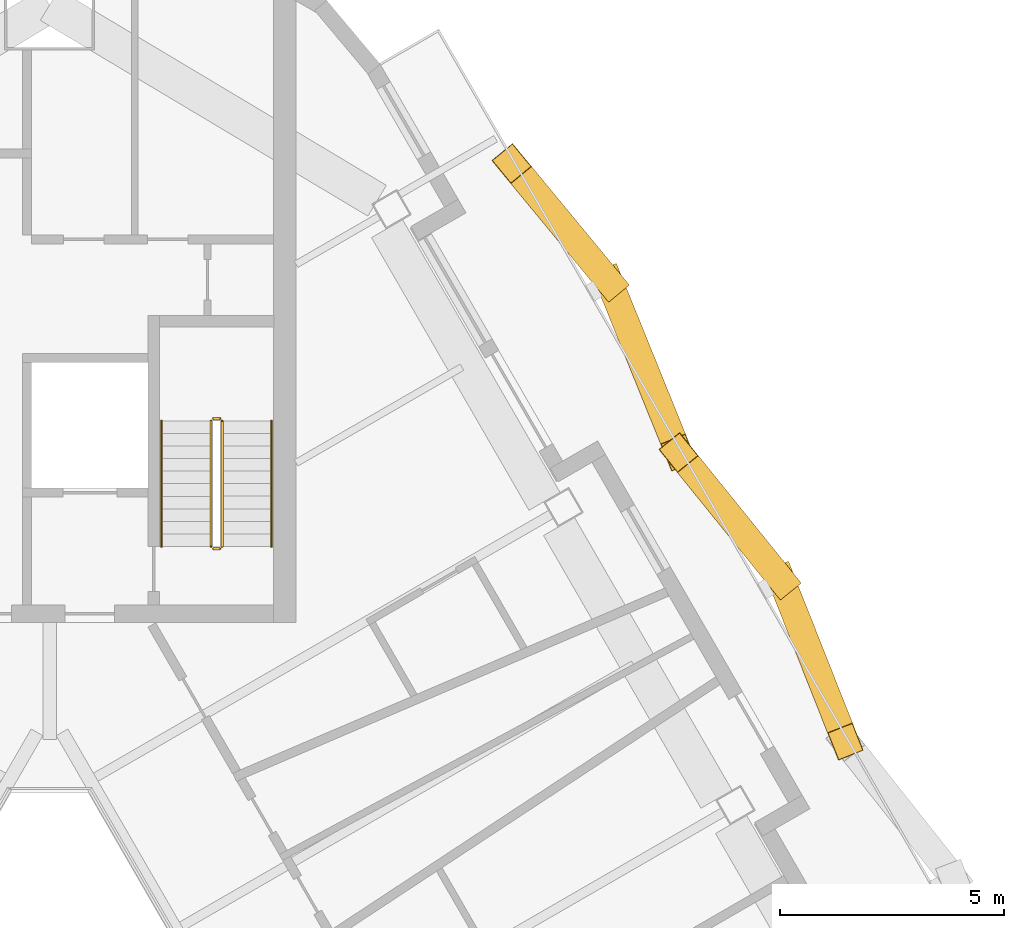
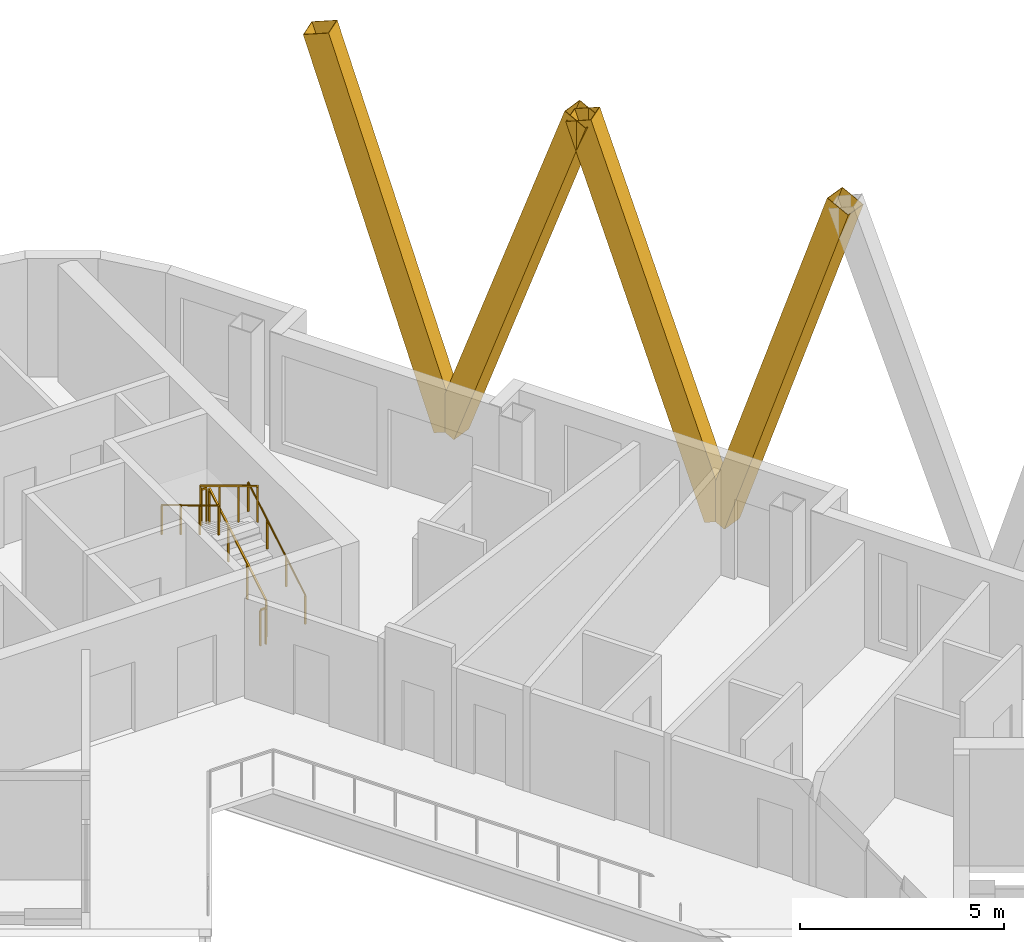
# One storey, part 14 of 14: 6 railings, 4 shading devices.
"""IFC4 building model written with IfcOpenShell, lengths in metres."""

from ifc_helpers import new_model, si_unit, direction, frame, origin, origin_2d, place, context, subcontext, project, spatial, rectangle, hollow_rectangle, circle, extrude, material, material_profile, profile_set, type_object, element, save


model = new_model("IFC4")

# Units and contexts
model_context = context("Model", 3, precision=1e-05, world=origin(), true_north=direction((0.0, 1.0)))
body_context = subcontext(model_context, "Body", "Model", "MODEL_VIEW")
ifc_project = project(units=[si_unit("LENGTHUNIT", "METRE"), si_unit("AREAUNIT", "SQUARE_METRE"), si_unit("VOLUMEUNIT", "CUBIC_METRE"), si_unit("PLANEANGLEUNIT", "RADIAN"), si_unit("MASSUNIT", "GRAM", prefix="KILO")], contexts=[model_context])

# Site, building, storey
site_placement = place(None, origin())
site = spatial("IfcSite", under=ifc_project, at=site_placement, CompositionType="ELEMENT")
building_placement = place(site_placement, origin())
building = spatial("IfcBuilding", under=site, at=building_placement, Name="Apuvela Tower Hotel", CompositionType="ELEMENT")
storey_placement = place(building_placement, frame((0.0, 0.0, 257.800048828125)))
storey = spatial("IfcBuildingStorey", under=building, at=storey_placement, Name="L63", CompositionType="ELEMENT", Elevation=257.800048828125)

# Railings
ifc_material_1 = material(Name="Steel S275 balustrade", Category="steel")
railing_type_1 = type_object("IfcRailingType", Name="COR-GUARD-1100", PredefinedType="GUARDRAIL", material=ifc_material_1)
railing_1_placement = place(storey_placement, frame((3.85009765625, 14.60009765625, 0.168212890625)))
element("IfcRailing", 1, at=railing_1_placement, inside=storey, type_object=railing_type_1, Name="L63 ST1 stair guard 1", PredefinedType="GUARDRAIL", context=body_context, shape_type="SweptSolid", body=[
    extrude(rectangle(XDim=0.048095703125, YDim=0.048095703125, at=origin_2d()), frame((0.0, 0.0, 1.076171875), z_axis=(0.0, 0.857255387014, 0.514891446264), x_axis=(-1.0, 0.0, 0.0)), (0.0, 0.0, 1.0), 3.26611328125),
    extrude(rectangle(XDim=0.0419921875, YDim=0.0419921875, at=origin_2d()), origin(), (0.0, 0.0, 1.0), 1.052001953125),
    extrude(rectangle(XDim=0.0419921875, YDim=0.0419921875, at=origin_2d()), frame((0.0, 0.933349609375, 0.560546875)), (0.0, 0.0, 1.0), 1.052001953125),
    extrude(rectangle(XDim=0.0419921875, YDim=0.0419921875, at=origin_2d()), frame((0.0, 1.866455078125, 1.12109375)), (0.0, 0.0, 1.0), 1.052001953125),
    extrude(rectangle(XDim=0.0419921875, YDim=0.0419921875, at=origin_2d()), frame((0.0, 2.7998046875, 1.681640625)), (0.0, 0.0, 1.0), 1.052001953125),
])
railing_2_placement = place(storey_placement, frame((3.800048828125, 17.449951171875, 1.849853515625)))
element("IfcRailing", 2, at=railing_2_placement, inside=storey, type_object=railing_type_1, Name="L63 ST1 stair guard 2", PredefinedType="GUARDRAIL", context=body_context, shape_type="SweptSolid", body=[
    extrude(rectangle(XDim=0.048095703125, YDim=0.048095703125, at=origin_2d()), frame((0.0, 0.0, 1.076171875), z_axis=(-1.0, 0.0, 0.0), x_axis=(0.0, -1.0, 0.0)), (0.0, 0.0, 1.0), 0.150146484375),
    extrude(rectangle(XDim=0.0419921875, YDim=0.0419921875, at=origin_2d()), origin(), (0.0, 0.0, 1.0), 1.052001953125),
    extrude(rectangle(XDim=0.0419921875, YDim=0.0419921875, at=origin_2d()), frame((-0.150146484375, 0.0, 0.0)), (0.0, 0.0, 1.0), 1.052001953125),
])
railing_3_placement = place(storey_placement, frame((3.60009765625, 17.39990234375, 2.01806640625)))
element("IfcRailing", 3, at=railing_3_placement, inside=storey, type_object=railing_type_1, Name="L63 ST1 stair guard 3", PredefinedType="GUARDRAIL", context=body_context, shape_type="SweptSolid", body=[
    extrude(rectangle(XDim=0.048095703125, YDim=0.048095703125, at=origin_2d()), frame((0.0, 0.0, 1.076171875), z_axis=(0.0, -0.857222391501, 0.514946377315), x_axis=(1.0, 0.0, 0.0)), (0.0, 0.0, 1.0), 3.26611328125),
    extrude(rectangle(XDim=0.0419921875, YDim=0.0419921875, at=origin_2d()), origin(), (0.0, 0.0, 1.0), 1.052001953125),
    extrude(rectangle(XDim=0.0419921875, YDim=0.0419921875, at=origin_2d()), frame((0.0, -0.933349609375, 0.560546875)), (0.0, 0.0, 1.0), 1.052001953125),
    extrude(rectangle(XDim=0.0419921875, YDim=0.0419921875, at=origin_2d()), frame((0.0, -1.866455078125, 1.121337890625)), (0.0, 0.0, 1.0), 1.052001953125),
    extrude(rectangle(XDim=0.0419921875, YDim=0.0419921875, at=origin_2d()), frame((0.0, -2.7998046875, 1.681884765625)), (0.0, 0.0, 1.0), 1.052001953125),
])
railing_4_placement = place(storey_placement, frame((3.800048828125, 14.550048828125, 0.0)))
element("IfcRailing", 4, at=railing_4_placement, inside=storey, type_object=railing_type_1, Name="L63 ST1 stair guard 4", PredefinedType="GUARDRAIL", context=body_context, shape_type="SweptSolid", body=[
    extrude(rectangle(XDim=0.048095703125, YDim=0.048095703125, at=origin_2d()), frame((0.0, 0.0, 1.076171875), z_axis=(-1.0, 0.0, 0.0), x_axis=(0.0, -1.0, 0.0)), (0.0, 0.0, 1.0), 0.150146484375),
    extrude(rectangle(XDim=0.0419921875, YDim=0.0419921875, at=origin_2d()), origin(), (0.0, 0.0, 1.0), 1.052001953125),
    extrude(rectangle(XDim=0.0419921875, YDim=0.0419921875, at=origin_2d()), frame((-0.150146484375, 0.0, 0.0)), (0.0, 0.0, 1.0), 1.052001953125),
])
ifc_material_2 = material(Name="Stainless steel 316 handrail", Category="steel")
railing_type_2 = type_object("IfcRailingType", Name="COR-HANDRAIL-900", PredefinedType="HANDRAIL", material=ifc_material_2)
railing_5_placement = place(storey_placement, frame((4.949951171875, 14.60009765625, 0.168212890625)))
element("IfcRailing", 5, at=railing_5_placement, inside=storey, type_object=railing_type_2, Name="L63 ST1 stair handrail 1", PredefinedType="HANDRAIL", context=body_context, shape_type="SweptSolid", body=[
    extrude(circle(Radius=0.02392578125, at=origin_2d()), frame((0.0, 0.0, 0.8759765625), z_axis=(0.0, 0.857255387014, 0.514891446264), x_axis=(-1.0, 0.0, 0.0)), (0.0, 0.0, 1.0), 3.26611328125),
    extrude(rectangle(XDim=0.0419921875, YDim=0.0419921875, at=origin_2d()), origin(), (0.0, 0.0, 1.0), 0.851806640625),
    extrude(rectangle(XDim=0.0419921875, YDim=0.0419921875, at=origin_2d()), frame((0.0, 0.933349609375, 0.560546875)), (0.0, 0.0, 1.0), 0.851806640625),
    extrude(rectangle(XDim=0.0419921875, YDim=0.0419921875, at=origin_2d()), frame((0.0, 1.866455078125, 1.12109375)), (0.0, 0.0, 1.0), 0.851806640625),
    extrude(rectangle(XDim=0.0419921875, YDim=0.0419921875, at=origin_2d()), frame((0.0, 2.7998046875, 1.681640625)), (0.0, 0.0, 1.0), 0.851806640625),
])
railing_6_placement = place(storey_placement, frame((2.5, 17.39990234375, 2.01806640625)))
element("IfcRailing", 6, at=railing_6_placement, inside=storey, type_object=railing_type_2, Name="L63 ST1 stair handrail 2", PredefinedType="HANDRAIL", context=body_context, shape_type="SweptSolid", body=[
    extrude(circle(Radius=0.02392578125, at=origin_2d()), frame((0.0, 0.0, 0.8759765625), z_axis=(0.0, -0.857222391501, 0.514946377315), x_axis=(1.0, 0.0, 0.0)), (0.0, 0.0, 1.0), 3.26611328125),
    extrude(rectangle(XDim=0.0419921875, YDim=0.0419921875, at=origin_2d()), origin(), (0.0, 0.0, 1.0), 0.851806640625),
    extrude(rectangle(XDim=0.0419921875, YDim=0.0419921875, at=origin_2d()), frame((0.0, -0.933349609375, 0.560546875)), (0.0, 0.0, 1.0), 0.851806640625),
    extrude(rectangle(XDim=0.0419921875, YDim=0.0419921875, at=origin_2d()), frame((0.0, -1.866455078125, 1.121337890625)), (0.0, 0.0, 1.0), 0.851806640625),
    extrude(rectangle(XDim=0.0419921875, YDim=0.0419921875, at=origin_2d()), frame((0.0, -2.7998046875, 1.681884765625)), (0.0, 0.0, 1.0), 0.851806640625),
])

# Shading devices
ifc_material_3 = material(Name="Aluminium 6063-T6, black anodised", Category="aluminium")
ifc_material_profile = material_profile(ifc_material_3, hollow_rectangle(XDim=0.60009765625, YDim=0.699951171875, WallThickness=0.011962890625, at=origin_2d()), Name="AL BOX 700x600x12")
ifc_profile_set = profile_set([ifc_material_profile], Name="Aluminium 6063-T6, black anodised")
shading_device_type = type_object("IfcShadingDeviceType", Name="ENV-FIN-700x600", PredefinedType="USERDEFINED", material=ifc_profile_set)
shading_device_1_placement = place(storey_placement, frame((16.322998046875, 13.853515625, -0.10009765625), z_axis=(0.121364736973, -0.30666138586, 0.944049466417), x_axis=(0.929829503012, 0.367990618533, 0.0)))
element("IfcShadingDevice", 7, at=shading_device_1_placement, inside=storey, type_object=shading_device_type, Name="Lattice fin NE573", ObjectType="FIN", PredefinedType="USERDEFINED", context=body_context, shape_type="SweptSolid", body=[
    extrude(hollow_rectangle(XDim=0.60009765625, YDim=0.699951171875, WallThickness=0.011962890625, at=origin_2d()), origin(), (0.0, 0.0, 1.0), 11.758056640625),
])
shading_device_2_placement = place(storey_placement, frame((16.322998046875, 13.853515625, -0.10009765625), z_axis=(-0.196392862073, 0.24308839896, 0.949914666703), x_axis=(-0.777859475099, -0.628438252336, 0.0)))
element("IfcShadingDevice", 8, at=shading_device_2_placement, inside=storey, type_object=shading_device_type, Name="Lattice fin NE574", ObjectType="FIN", PredefinedType="USERDEFINED", context=body_context, shape_type="SweptSolid", body=[
    extrude(hollow_rectangle(XDim=0.60009765625, YDim=0.699951171875, WallThickness=0.011962890625, at=origin_2d()), origin(), (0.0, 0.0, 1.0), 11.685302734375),
])
shading_device_3_placement = place(storey_placement, frame((12.4873046875, 20.497314453125, -0.10009765625), z_axis=(0.130195409515, -0.321372855241, 0.937959830299), x_axis=(0.926830500611, 0.37547999033, 0.0)))
element("IfcShadingDevice", 9, at=shading_device_3_placement, inside=storey, type_object=shading_device_type, Name="Lattice fin NE575", ObjectType="FIN", PredefinedType="USERDEFINED", context=body_context, shape_type="SweptSolid", body=[
    extrude(hollow_rectangle(XDim=0.60009765625, YDim=0.699951171875, WallThickness=0.011962890625, at=origin_2d()), origin(), (0.0, 0.0, 1.0), 11.834228515625),
])
shading_device_4_placement = place(storey_placement, frame((12.4873046875, 20.497314453125, -0.10009765625), z_axis=(-0.187734450826, 0.227517425797, 0.955505937675), x_axis=(-0.771319065559, -0.636448661799, 0.0)))
element("IfcShadingDevice", 10, at=shading_device_4_placement, inside=storey, type_object=shading_device_type, Name="Lattice fin NE576", ObjectType="FIN", PredefinedType="USERDEFINED", context=body_context, shape_type="SweptSolid", body=[
    extrude(hollow_rectangle(XDim=0.60009765625, YDim=0.699951171875, WallThickness=0.011962890625, at=origin_2d()), origin(), (0.0, 0.0, 1.0), 11.616943359375),
])

save(model, "model.ifc")
